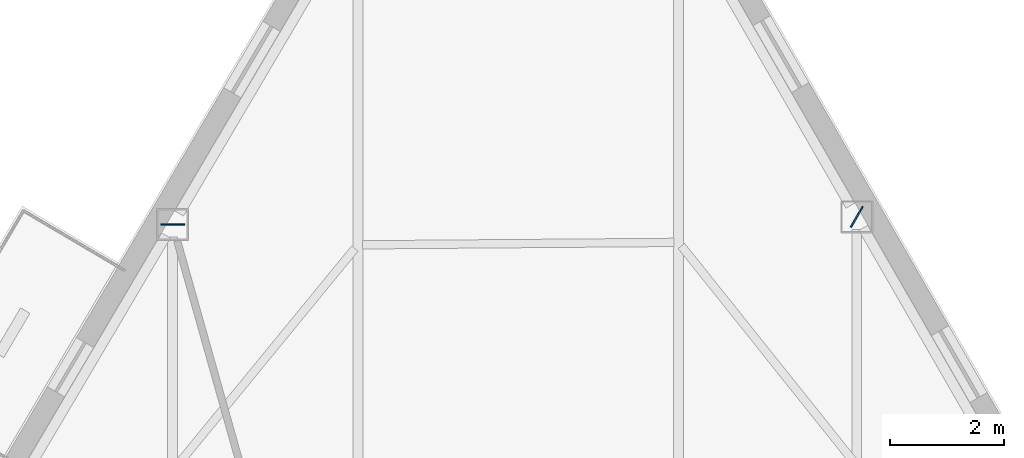
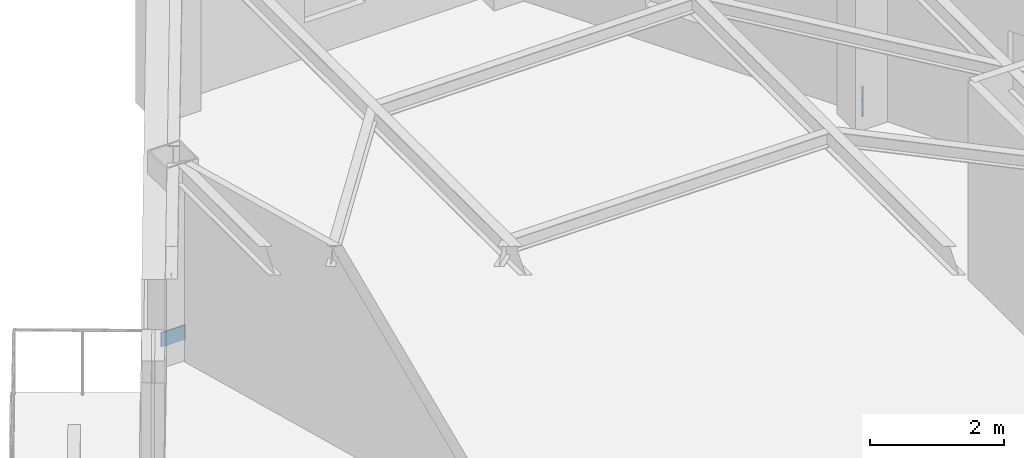
# One storey, part 6 of 11: 2 plates.
"""IFC4 building model written with IfcOpenShell, lengths in metres."""

from ifc_helpers import new_model, si_unit, direction, frame, origin, origin_2d, place, context, subcontext, project, spatial, rectangle, extrude, material, layer, layer_set, type_object, element, save


model = new_model("IFC4")

# Units and contexts
model_context = context("Model", 3, precision=1e-05, world=origin(), true_north=direction((0.0, 1.0)))
body_context = subcontext(model_context, "Body", "Model", "MODEL_VIEW")
ifc_project = project(units=[si_unit("LENGTHUNIT", "METRE"), si_unit("AREAUNIT", "SQUARE_METRE"), si_unit("VOLUMEUNIT", "CUBIC_METRE"), si_unit("PLANEANGLEUNIT", "RADIAN"), si_unit("MASSUNIT", "GRAM", prefix="KILO")], contexts=[model_context])

# Site, building, storey
site_placement = place(None, origin())
site = spatial("IfcSite", under=ifc_project, at=site_placement, CompositionType="ELEMENT")
building_placement = place(site_placement, origin())
building = spatial("IfcBuilding", under=site, at=building_placement, Name="Kavelnor Concourse Tower", CompositionType="ELEMENT")
storey_placement = place(building_placement, frame((0.0, 0.0, 285.699951171875)))
storey = spatial("IfcBuildingStorey", under=building, at=storey_placement, Name="L72", CompositionType="ELEMENT", Elevation=285.699951171875)

# Plates
ifc_material = material(Name="Steel Grade 350", Category="steel")
ifc_layer = layer(ifc_material, 0.02490234375, Name="Steel Grade 350")
ifc_layer_set = layer_set([ifc_layer], Name="Steel Grade 350")
plate_type = type_object("IfcPlateType", Name="PL-SPLICE-FLANGE", PredefinedType="SHEET", material=ifc_layer_set)
for number, where, z_axis, x_axis, name in (
    (1, (31.8916015625, 37.7919921875, 0.169921875), (0.0, 0.0, 1.0), (1.0, 0.0, 0.0), "L72 Column Flange Splice Plate F0-B1"),
    (2, (43.869384765625, 37.926025390625, 0.169921875), (0.0, 0.0, 1.0), (-0.5, -0.866025403784, 0.0), "L72 Column Flange Splice Plate F2-B5"),
):
    element("IfcPlate", number, at=place(storey_placement, frame(where, z_axis=z_axis, x_axis=x_axis)), inside=storey, type_object=plate_type, Name=name, PredefinedType="SHEET", context=body_context, shape_type="SweptSolid", body=[
        extrude(rectangle(XDim=0.419921875, YDim=0.02490234375, at=origin_2d()), origin(), (0.0, 0.0, 1.0), 0.260009765625),
    ])

save(model, "model.ifc")
